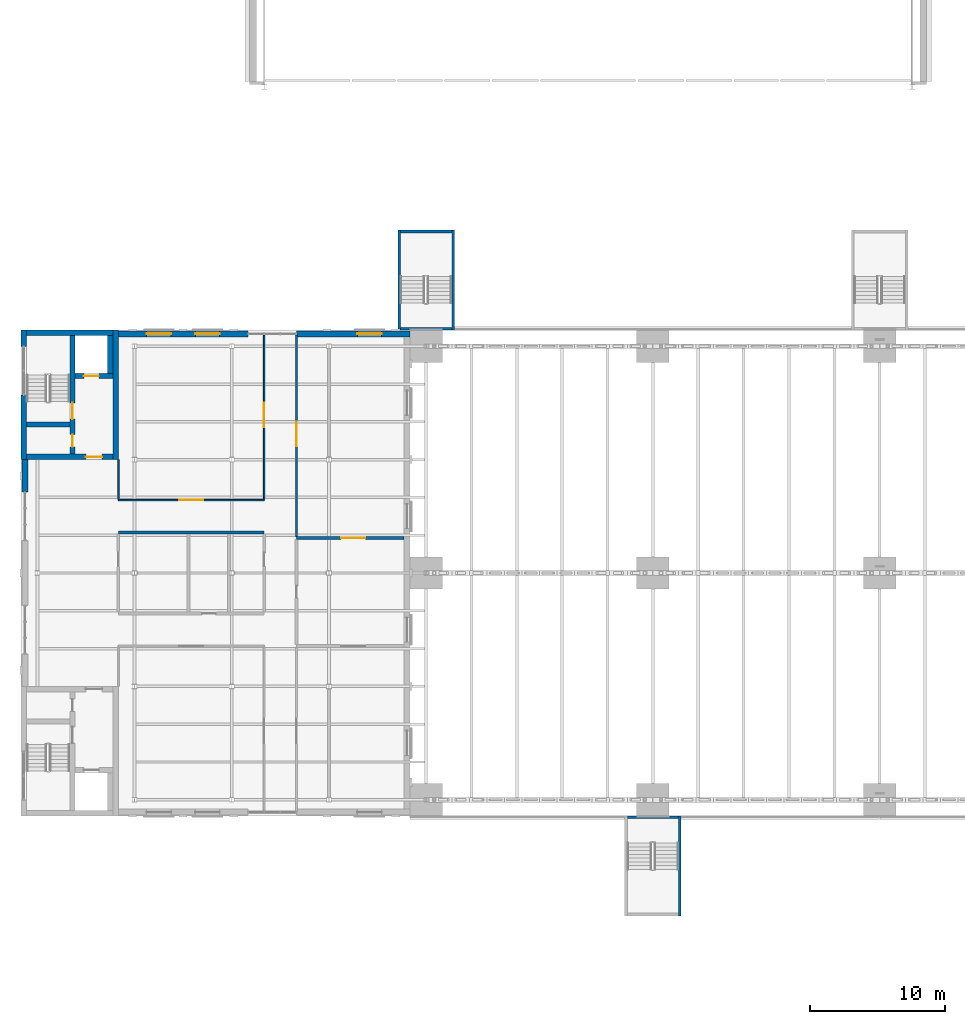
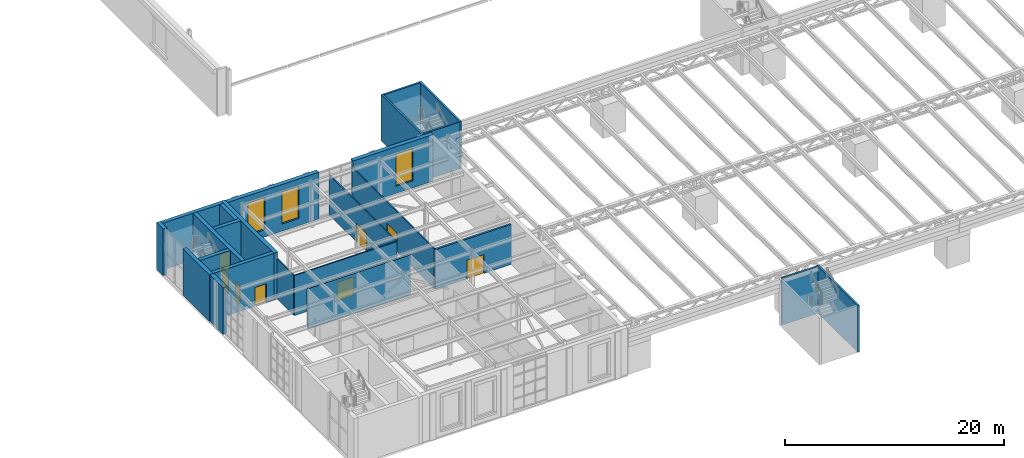
# One storey, part 55 of 93: 24 walls, 8 doors, 3 windows, 11 openings.
"""IFC4 building model written with IfcOpenShell, lengths in metres."""

from ifc_helpers import new_model, si_unit, direction, frame, frame_2d, origin, place, context, subcontext, project, spatial, rectangle, extrude, material, layer, layer_set, type_object, element, fill, save


model = new_model("IFC4")

# Units and contexts
model_context = context("Model", 3, precision=1e-05, world=origin(), true_north=direction((0.0, 1.0)))
body_context = subcontext(model_context, "Body", "Model", "MODEL_VIEW")
ifc_project = project(units=[si_unit("LENGTHUNIT", "METRE"), si_unit("AREAUNIT", "SQUARE_METRE"), si_unit("VOLUMEUNIT", "CUBIC_METRE"), si_unit("PLANEANGLEUNIT", "RADIAN"), si_unit("MASSUNIT", "GRAM", prefix="KILO")], contexts=[model_context])

# Site, building, storey
site_placement = place(None, origin())
site = spatial("IfcSite", under=ifc_project, at=site_placement, CompositionType="ELEMENT")
building_placement = place(site_placement, origin())
building = spatial("IfcBuilding", under=site, at=building_placement, Name="Verrick Yard Athletic Hall", CompositionType="ELEMENT")
storey_placement = place(building_placement, frame((0.0, 0.0, 8.800048828125)))
storey = spatial("IfcBuildingStorey", under=building, at=storey_placement, Name="L02", CompositionType="ELEMENT", Elevation=8.800048828125)

# Wall, openings, doors
ifc_material_1 = material(Name="Concrete 35 MPa", Category="concrete")
ifc_layer_1 = layer(ifc_material_1, 0.39990234375)
ifc_layer_set_1 = layer_set([ifc_layer_1], Name="Core wall CR400")
wall_type_1 = type_object("IfcWallType", Name="Core wall CR400", PredefinedType="SHEAR", material=ifc_layer_set_1)
wall_1_placement = place(storey_placement, frame((13.800048828125, 44.800048828125, 0.0), z_axis=(0.0, 0.0, 1.0), x_axis=(0.0, 1.0, 0.0)))
wall_1 = element("IfcWall", 1, at=wall_1_placement, inside=storey, type_object=wall_type_1, Name="CORE-CB2-WP-L02", PredefinedType="SHEAR", context=body_context, shape_type="SweptSolid", body=[
    extrude(rectangle(XDim=8.800048828125, YDim=0.39990234375, at=frame_2d((4.39990234375, 0.0))), origin(), (0.0, 0.0, 1.0), 5.199951171875),
])
opening_1_placement = place(wall_1_placement, frame((2.60009765625, 0.0, 0.0)))
opening_1 = element("IfcOpeningElement", 2, at=opening_1_placement, cuts=wall_1, Name="Opening SD1", PredefinedType="OPENING", context=body_context, shape_type="SweptSolid", body=[
    extrude(rectangle(XDim=1.199951171875, YDim=2.10009765625, at=frame_2d((0.60009765625, 1.050048828125))), frame((0.0, 0.2099609375, 0.0), z_axis=(0.0, -1.0, 0.0), x_axis=(1.0, 0.0, 0.0)), (0.0, 0.0, 1.0), 0.419921875),
])
opening_2_placement = place(wall_1_placement, frame((0.550048828125, 0.0, 0.0)))
opening_2 = element("IfcOpeningElement", 3, at=opening_2_placement, cuts=wall_1, Name="Opening RD1", PredefinedType="OPENING", context=body_context, shape_type="SweptSolid", body=[
    extrude(rectangle(XDim=0.89990234375, YDim=2.10009765625, at=frame_2d((0.449951171875, 1.050048828125))), frame((0.0, 0.2099609375, 0.0), z_axis=(0.0, -1.0, 0.0), x_axis=(1.0, 0.0, 0.0)), (0.0, 0.0, 1.0), 0.419921875),
])
ifc_material_2 = material(Name="Hollow metal door leaf")
door_type_1 = type_object("IfcDoorType", Name="Core door RD1 900x2100", OperationType="NOTDEFINED", PredefinedType="DOOR", material=ifc_material_2)
door_1_placement = place(opening_2_placement, origin())
door_1 = element("IfcDoor", 4, at=door_1_placement, inside=storey, type_object=door_type_1, Name="CORE-CB2-WP-L02-DRD1-4580", OperationType="SINGLE_SWING_RIGHT", OverallHeight=2.10009765625, OverallWidth=0.89990234375, PredefinedType="DOOR", context=body_context, shape_type="SweptSolid", body=[
    extrude(rectangle(XDim=0.89990234375, YDim=2.10009765625, at=frame_2d((0.449951171875, 1.050048828125))), frame((0.0, 0.02490234375, 0.0), z_axis=(0.0, -1.0, 0.0), x_axis=(1.0, 0.0, 0.0)), (0.0, 0.0, 1.0), 0.050048828125),
])
fill(opening_2, door_1)
door_type_2 = type_object("IfcDoorType", Name="Core door SD1 1200x2100", OperationType="NOTDEFINED", PredefinedType="DOOR", material=ifc_material_2)
door_2_placement = place(opening_1_placement, origin())
door_2 = element("IfcDoor", 5, at=door_2_placement, inside=storey, type_object=door_type_2, Name="CORE-CB2-WP-L02-DSD1-4800", OperationType="SINGLE_SWING_RIGHT", OverallHeight=2.10009765625, OverallWidth=1.199951171875, PredefinedType="DOOR", context=body_context, shape_type="SweptSolid", body=[
    extrude(rectangle(XDim=1.199951171875, YDim=2.10009765625, at=frame_2d((0.60009765625, 1.050048828125))), frame((0.0, 0.02490234375, 0.0), z_axis=(0.0, -1.0, 0.0), x_axis=(1.0, 0.0, 0.0)), (0.0, 0.0, 1.0), 0.050048828125),
])
fill(opening_1, door_2)

# Wall
wall_2_placement = place(storey_placement, frame((10.39990234375, 47.0, 0.0), z_axis=(0.0, 0.0, 1.0), x_axis=(1.0, 0.0, 0.0)))
element("IfcWall", 6, at=wall_2_placement, inside=storey, type_object=wall_type_1, Name="CORE-CB2-WSN-L02", PredefinedType="SHEAR", context=body_context, shape_type="SweptSolid", body=[
    extrude(rectangle(XDim=3.2001953125, YDim=0.39990234375, at=frame_2d((1.60009765625, 0.0))), origin(), (0.0, 0.0, 1.0), 5.199951171875),
])

# Wall, opening, door
wall_3_placement = place(storey_placement, frame((14.0, 50.60009765625, 0.0), z_axis=(0.0, 0.0, 1.0), x_axis=(1.0, 0.0, 0.0)))
wall_3 = element("IfcWall", 7, at=wall_3_placement, inside=storey, type_object=wall_type_1, Name="CORE-CB2-WLN-L02", PredefinedType="SHEAR", context=body_context, shape_type="SweptSolid", body=[
    extrude(rectangle(XDim=2.800048828125, YDim=0.39990234375, at=frame_2d((1.39990234375, 0.0))), origin(), (0.0, 0.0, 1.0), 5.199951171875),
])
opening_3_placement = place(wall_3_placement, frame((0.64990234375, 0.0, 0.0)))
opening_3 = element("IfcOpeningElement", 8, at=opening_3_placement, cuts=wall_3, Name="Opening LD", PredefinedType="OPENING", context=body_context, shape_type="SweptSolid", body=[
    extrude(rectangle(XDim=1.10009765625, YDim=2.10009765625, at=frame_2d((0.550048828125, 1.050048828125))), frame((0.0, 0.2099609375, 0.0), z_axis=(0.0, -1.0, 0.0), x_axis=(1.0, 0.0, 0.0)), (0.0, 0.0, 1.0), 0.419921875),
])
ifc_material_3 = material(Name="Stainless steel landing door", Category="steel")
door_type_3 = type_object("IfcDoorType", Name="Lift landing door LD 1100x2100", OperationType="NOTDEFINED", PredefinedType="DOOR", material=ifc_material_3)
door_3_placement = place(opening_3_placement, origin())
door_3 = element("IfcDoor", 9, at=door_3_placement, inside=storey, type_object=door_type_3, Name="Lift landing door", OperationType="SLIDING_TO_RIGHT", OverallHeight=2.10009765625, OverallWidth=1.10009765625, PredefinedType="DOOR", context=body_context, shape_type="SweptSolid", body=[
    extrude(rectangle(XDim=1.10009765625, YDim=2.10009765625, at=frame_2d((0.550048828125, 1.050048828125))), frame((0.0, 0.02490234375, 0.0), z_axis=(0.0, -1.0, 0.0), x_axis=(1.0, 0.0, 0.0)), (0.0, 0.0, 1.0), 0.050048828125),
])
fill(opening_3, door_3)

# Walls
wall_4_placement = place(storey_placement, frame((16.60009765625, 50.800048828125, 0.0), z_axis=(0.0, 0.0, 1.0), x_axis=(0.0, 1.0, 0.0)))
element("IfcWall", 10, at=wall_4_placement, inside=storey, type_object=wall_type_1, Name="CORE-CB2-WLE-L02", PredefinedType="SHEAR", context=body_context, shape_type="SweptSolid", body=[
    extrude(rectangle(XDim=2.800048828125, YDim=0.39990234375, at=frame_2d((1.39990234375, 0.0))), origin(), (0.0, 0.0, 1.0), 5.199951171875),
])
ifc_layer_2 = layer(ifc_material_1, 0.39990234375)
ifc_layer_set_2 = layer_set([ifc_layer_2], Name="External core wall CR400")
wall_type_2 = type_object("IfcWallType", Name="External core wall CR400", PredefinedType="SHEAR", material=ifc_layer_set_2)
wall_5_placement = place(storey_placement, frame((10.199951171875, 44.39990234375, 0.0), z_axis=(0.0, 0.0, 1.0), x_axis=(0.0, 1.0, 0.0)))
element("IfcWall", 11, at=wall_5_placement, inside=storey, type_object=wall_type_2, Name="CORE-CB2-WW-L02-0", PredefinedType="SHEAR", context=body_context, shape_type="SweptSolid", body=[
    extrude(rectangle(XDim=4.800048828125, YDim=0.39990234375, at=frame_2d((2.39990234375, 0.0))), origin(), (0.0, 0.0, 1.0), 5.199951171875),
])
wall_6_placement = place(storey_placement, frame((10.199951171875, 52.800048828125, 0.0), z_axis=(0.0, 0.0, 1.0), x_axis=(0.0, 1.0, 0.0)))
element("IfcWall", 12, at=wall_6_placement, inside=storey, type_object=wall_type_2, Name="CORE-CB2-WW-L02-1", PredefinedType="SHEAR", context=body_context, shape_type="SweptSolid", body=[
    extrude(rectangle(XDim=1.199951171875, YDim=0.39990234375, at=frame_2d((0.60009765625, 0.0))), origin(), (0.0, 0.0, 1.0), 5.199951171875),
])
wall_7_placement = place(storey_placement, frame((17.0, 44.39990234375, 0.0), z_axis=(0.0, 0.0, 1.0), x_axis=(0.0, 1.0, 0.0)))
element("IfcWall", 13, at=wall_7_placement, inside=storey, type_object=wall_type_2, Name="CORE-CB2-WE-L02", PredefinedType="SHEAR", context=body_context, shape_type="SweptSolid", body=[
    extrude(rectangle(XDim=9.60009765625, YDim=0.39990234375, at=frame_2d((4.800048828125, 0.0))), origin(), (0.0, 0.0, 1.0), 5.199951171875),
])
wall_8_placement = place(storey_placement, frame((10.39990234375, 53.800048828125, 0.0), z_axis=(0.0, 0.0, 1.0), x_axis=(1.0, 0.0, 0.0)))
element("IfcWall", 14, at=wall_8_placement, inside=storey, type_object=wall_type_2, Name="CORE-CB2-WS-L02", PredefinedType="SHEAR", context=body_context, shape_type="SweptSolid", body=[
    extrude(rectangle(XDim=6.400146484375, YDim=0.39990234375, at=frame_2d((3.2001953125, 0.0))), origin(), (0.0, 0.0, 1.0), 5.199951171875),
])

# Wall, opening, door
wall_9_placement = place(storey_placement, frame((10.39990234375, 44.60009765625, 0.0), z_axis=(0.0, 0.0, 1.0), x_axis=(1.0, 0.0, 0.0)))
wall_9 = element("IfcWall", 15, at=wall_9_placement, inside=storey, type_object=wall_type_2, Name="CORE-CB2-WN-L02", PredefinedType="SHEAR", context=body_context, shape_type="SweptSolid", body=[
    extrude(rectangle(XDim=6.400146484375, YDim=0.39990234375, at=frame_2d((3.2001953125, 0.0))), origin(), (0.0, 0.0, 1.0), 5.199951171875),
])
opening_4_placement = place(wall_9_placement, frame((4.39990234375, 0.0, 0.0)))
opening_4 = element("IfcOpeningElement", 16, at=opening_4_placement, cuts=wall_9, Name="Opening LB1", PredefinedType="OPENING", context=body_context, shape_type="SweptSolid", body=[
    extrude(rectangle(XDim=1.199951171875, YDim=2.10009765625, at=frame_2d((0.60009765625, 1.050048828125))), frame((0.0, 0.2099609375, 0.0), z_axis=(0.0, -1.0, 0.0), x_axis=(1.0, 0.0, 0.0)), (0.0, 0.0, 1.0), 0.419921875),
])
door_type_4 = type_object("IfcDoorType", Name="Core door LB1 1200x2100", OperationType="NOTDEFINED", PredefinedType="DOOR", material=ifc_material_2)
door_4_placement = place(opening_4_placement, origin())
door_4 = element("IfcDoor", 17, at=door_4_placement, inside=storey, type_object=door_type_4, Name="CORE-CB2-WN-L02-DLB1-1540", OperationType="SINGLE_SWING_RIGHT", OverallHeight=2.10009765625, OverallWidth=1.199951171875, PredefinedType="DOOR", context=body_context, shape_type="SweptSolid", body=[
    extrude(rectangle(XDim=1.199951171875, YDim=2.10009765625, at=frame_2d((0.60009765625, 1.050048828125))), frame((0.0, 0.02490234375, 0.0), z_axis=(0.0, -1.0, 0.0), x_axis=(1.0, 0.0, 0.0)), (0.0, 0.0, 1.0), 0.050048828125),
])
fill(opening_4, door_4)

# Walls
ifc_layer_3 = layer(ifc_material_1, 0.199951171875)
ifc_layer_set_3 = layer_set([ifc_layer_3], Name="External enclosure wall CR200")
wall_type_3 = type_object("IfcWallType", Name="External enclosure wall CR200", PredefinedType="SOLIDWALL", material=ifc_layer_set_3)
for number, where, z_axis, x_axis, name in (
    (18, (38.0, 54.0, 0.0), (0.0, 0.0, 1.0), (0.0, 1.0, 0.0), "CORE-DT-N1-WW-L02"),
    (19, (42.0, 61.39990234375, 0.0), (0.0, 0.0, 1.0), (0.0, -1.0, 0.0), "CORE-DT-N1-WE-L02"),
):
    element("IfcWall", number, at=place(storey_placement, frame(where, z_axis=z_axis, x_axis=x_axis)), inside=storey, type_object=wall_type_3, Name=name, PredefinedType="SOLIDWALL", context=body_context, shape_type="SweptSolid", body=[
        extrude(rectangle(XDim=7.39990234375, YDim=0.199951171875, at=frame_2d((3.699951171875, 0.0))), origin(), (0.0, 0.0, 1.0), 5.199951171875),
    ])
for number, where, z_axis, x_axis, name in (
    (20, (38.10009765625, 54.10009765625, 0.0), (0.0, 0.0, 1.0), (1.0, 0.0, 0.0), "CORE-DT-N1-WS-L02"),
    (21, (38.10009765625, 61.300048828125, 0.0), (0.0, 0.0, 1.0), (1.0, 0.0, 0.0), "CORE-DT-N1-WN-L02"),
):
    element("IfcWall", number, at=place(storey_placement, frame(where, z_axis=z_axis, x_axis=x_axis)), inside=storey, type_object=wall_type_3, Name=name, PredefinedType="SOLIDWALL", context=body_context, shape_type="SweptSolid", body=[
        extrude(rectangle(XDim=3.7998046875, YDim=0.199951171875, at=frame_2d((1.89990234375, 0.0))), origin(), (0.0, 0.0, 1.0), 5.199951171875),
    ])
wall_10_placement = place(storey_placement, frame((58.800048828125, 18.0, 0.0), z_axis=(0.0, 0.0, 1.0), x_axis=(0.0, -1.0, 0.0)))
element("IfcWall", 22, at=wall_10_placement, inside=storey, type_object=wall_type_3, Name="CORE-DT-S1-WE-L02", PredefinedType="SOLIDWALL", context=body_context, shape_type="SweptSolid", body=[
    extrude(rectangle(XDim=7.39990234375, YDim=0.199951171875, at=frame_2d((3.699951171875, 0.0))), origin(), (0.0, 0.0, 1.0), 5.199951171875),
])
wall_11_placement = place(storey_placement, frame((54.89990234375, 17.89990234375, 0.0), z_axis=(0.0, 0.0, 1.0), x_axis=(1.0, 0.0, 0.0)))
element("IfcWall", 23, at=wall_11_placement, inside=storey, type_object=wall_type_3, Name="CORE-DT-S1-WN-L02", PredefinedType="SOLIDWALL", context=body_context, shape_type="SweptSolid", body=[
    extrude(rectangle(XDim=3.800048828125, YDim=0.199951171875, at=frame_2d((1.89990234375, 0.0))), origin(), (0.0, 0.0, 1.0), 5.199951171875),
])

# Wall, opening, door
ifc_material_4 = material(Name="Concrete masonry block 15 MPa", Category="masonry")
ifc_layer_4 = layer(ifc_material_4, 0.199951171875)
ifc_layer_set_4 = layer_set([ifc_layer_4], Name="PW1 Block partition 200")
wall_type_4 = type_object("IfcWallType", Name="PW1 Block partition 200", PredefinedType="PARTITIONING", material=ifc_layer_set_4)
wall_12_placement = place(storey_placement, frame((30.39990234375, 38.60009765625, 0.0), z_axis=(0.0, 0.0, 1.0), x_axis=(1.0, 0.0, 0.0)))
wall_12 = element("IfcWall", 24, at=wall_12_placement, inside=storey, type_object=wall_type_4, Name="Partition PW1", PredefinedType="PARTITIONING", context=body_context, shape_type="SweptSolid", body=[
    extrude(rectangle(XDim=7.97265625, YDim=0.199951171875, at=frame_2d((3.986328125, 0.0))), origin(), (0.0, 0.0, 1.0), 4.449951171875),
])
opening_5_placement = place(wall_12_placement, frame((3.300048828125, 0.0, 0.0)))
opening_5 = element("IfcOpeningElement", 25, at=opening_5_placement, cuts=wall_12, Name="Opening D3", PredefinedType="OPENING", context=body_context, shape_type="SweptSolid", body=[
    extrude(rectangle(XDim=1.800048828125, YDim=2.10009765625, at=frame_2d((0.89990234375, 1.050048828125))), frame((0.0, 0.10986328125, 0.0), z_axis=(0.0, -1.0, 0.0), x_axis=(1.0, 0.0, 0.0)), (0.0, 0.0, 1.0), 0.219970703125),
])
ifc_material_5 = material(Name="Timber door leaf in steel frame", Category="steel")
door_type_5 = type_object("IfcDoorType", Name="D3 Double door 1800 x 2100", OperationType="NOTDEFINED", PredefinedType="DOOR", material=ifc_material_5)
door_5_placement = place(opening_5_placement, origin())
door_5 = element("IfcDoor", 26, at=door_5_placement, inside=storey, type_object=door_type_5, Name="D3 Dance Studio 3", OperationType="DOUBLE_DOOR_SINGLE_SWING", OverallHeight=2.10009765625, OverallWidth=1.800048828125, PredefinedType="DOOR", context=body_context, shape_type="SweptSolid", body=[
    extrude(rectangle(XDim=1.800048828125, YDim=2.10009765625, at=frame_2d((0.89990234375, 1.050048828125))), frame((0.0, 0.02490234375, 0.0), z_axis=(0.0, -1.0, 0.0), x_axis=(1.0, 0.0, 0.0)), (0.0, 0.0, 1.0), 0.050048828125),
])
fill(opening_5, door_5)

# Wall
wall_13_placement = place(storey_placement, frame((17.199951171875, 39.0, 0.0), z_axis=(0.0, 0.0, 1.0), x_axis=(1.0, 0.0, 0.0)))
element("IfcWall", 27, at=wall_13_placement, inside=storey, type_object=wall_type_4, Name="Partition PW1", PredefinedType="PARTITIONING", context=body_context, shape_type="SweptSolid", body=[
    extrude(rectangle(XDim=10.800048828125, YDim=0.199951171875, at=frame_2d((5.39990234375, 0.0))), origin(), (0.0, 0.0, 1.0), 4.449951171875),
])

# Wall, opening, door
ifc_material_6 = material(Name="Gypsum plasterboard on light-gauge studs")
ifc_layer_5 = layer(ifc_material_6, 0.125)
ifc_layer_set_5 = layer_set([ifc_layer_5], Name="PW2 Stud partition 125")
wall_type_5 = type_object("IfcWallType", Name="PW2 Stud partition 125", PredefinedType="PARTITIONING", material=ifc_layer_set_5)
wall_14_placement = place(storey_placement, frame((17.199951171875, 41.39990234375, 0.0), z_axis=(0.0, 0.0, 1.0), x_axis=(1.0, 0.0, 0.0)))
wall_14 = element("IfcWall", 28, at=wall_14_placement, inside=storey, type_object=wall_type_5, Name="Partition PW2", PredefinedType="PARTITIONING", context=body_context, shape_type="SweptSolid", body=[
    extrude(rectangle(XDim=10.800048828125, YDim=0.125, at=frame_2d((5.39990234375, 0.0))), origin(), (0.0, 0.0, 1.0), 4.449951171875),
])
opening_6_placement = place(wall_14_placement, frame((4.5, 0.0, 0.0)))
opening_6 = element("IfcOpeningElement", 29, at=opening_6_placement, cuts=wall_14, Name="Opening D3", PredefinedType="OPENING", context=body_context, shape_type="SweptSolid", body=[
    extrude(rectangle(XDim=1.800048828125, YDim=2.10009765625, at=frame_2d((0.89990234375, 1.050048828125))), frame((0.0, 0.072509765625, 0.0), z_axis=(0.0, -1.0, 0.0), x_axis=(1.0, 0.0, 0.0)), (0.0, 0.0, 1.0), 0.14501953125),
])
door_6_placement = place(opening_6_placement, origin())
door_6 = element("IfcDoor", 30, at=door_6_placement, inside=storey, type_object=door_type_5, Name="D3 Dance Studio 2", OperationType="DOUBLE_DOOR_SINGLE_SWING", OverallHeight=2.10009765625, OverallWidth=1.800048828125, PredefinedType="DOOR", context=body_context, shape_type="SweptSolid", body=[
    extrude(rectangle(XDim=1.800048828125, YDim=2.10009765625, at=frame_2d((0.89990234375, 1.050048828125))), frame((0.0, 0.02490234375, 0.0), z_axis=(0.0, -1.0, 0.0), x_axis=(1.0, 0.0, 0.0)), (0.0, 0.0, 1.0), 0.050048828125),
])
fill(opening_6, door_6)

# Wall
wall_15_placement = place(storey_placement, frame((17.199951171875, 41.46240234375, 0.0), z_axis=(0.0, 0.0, 1.0), x_axis=(0.0, 1.0, 0.0)))
element("IfcWall", 31, at=wall_15_placement, inside=storey, type_object=wall_type_5, Name="Partition PW2", PredefinedType="PARTITIONING", context=body_context, shape_type="SweptSolid", body=[
    extrude(rectangle(XDim=2.9375, YDim=0.125, at=frame_2d((1.46875, 0.0))), origin(), (0.0, 0.0, 1.0), 4.449951171875),
])

# Wall, opening, door
wall_16_placement = place(storey_placement, frame((28.0, 41.46240234375, 0.0), z_axis=(0.0, 0.0, 1.0), x_axis=(0.0, 1.0, 0.0)))
wall_16 = element("IfcWall", 32, at=wall_16_placement, inside=storey, type_object=wall_type_5, Name="Partition PW2", PredefinedType="PARTITIONING", context=body_context, shape_type="SweptSolid", body=[
    extrude(rectangle(XDim=12.186279296875, YDim=0.125, at=frame_2d((6.09326171875, 0.0))), origin(), (0.0, 0.0, 1.0), 4.449951171875),
])
opening_7_placement = place(wall_16_placement, frame((5.337890625, 0.0, 0.0)))
opening_7 = element("IfcOpeningElement", 33, at=opening_7_placement, cuts=wall_16, Name="Opening D3", PredefinedType="OPENING", context=body_context, shape_type="SweptSolid", body=[
    extrude(rectangle(XDim=1.800048828125, YDim=2.10009765625, at=frame_2d((0.89990234375, 1.050048828125))), frame((0.0, 0.072509765625, 0.0), z_axis=(0.0, -1.0, 0.0), x_axis=(1.0, 0.0, 0.0)), (0.0, 0.0, 1.0), 0.14501953125),
])
door_7_placement = place(opening_7_placement, origin())
door_7 = element("IfcDoor", 34, at=door_7_placement, inside=storey, type_object=door_type_5, Name="D3 Dance Studio 2", OperationType="DOUBLE_DOOR_SINGLE_SWING", OverallHeight=2.10009765625, OverallWidth=1.800048828125, PredefinedType="DOOR", context=body_context, shape_type="SweptSolid", body=[
    extrude(rectangle(XDim=1.800048828125, YDim=2.10009765625, at=frame_2d((0.89990234375, 1.050048828125))), frame((0.0, 0.02490234375, 0.0), z_axis=(0.0, -1.0, 0.0), x_axis=(1.0, 0.0, 0.0)), (0.0, 0.0, 1.0), 0.050048828125),
])
fill(opening_7, door_7)

wall_17_placement = place(storey_placement, frame((30.39990234375, 38.699951171875, 0.0), z_axis=(0.0, 0.0, 1.0), x_axis=(0.0, 1.0, 0.0)))
wall_17 = element("IfcWall", 35, at=wall_17_placement, inside=storey, type_object=wall_type_5, Name="Partition PW2", PredefinedType="PARTITIONING", context=body_context, shape_type="SweptSolid", body=[
    extrude(rectangle(XDim=14.94873046875, YDim=0.125, at=frame_2d((7.474365234375, 0.0))), origin(), (0.0, 0.0, 1.0), 4.449951171875),
])
opening_8_placement = place(wall_17_placement, frame((6.699951171875, 0.0, 0.0)))
opening_8 = element("IfcOpeningElement", 36, at=opening_8_placement, cuts=wall_17, Name="Opening D3", PredefinedType="OPENING", context=body_context, shape_type="SweptSolid", body=[
    extrude(rectangle(XDim=1.800048828125, YDim=2.10009765625, at=frame_2d((0.89990234375, 1.050048828125))), frame((0.0, 0.072509765625, 0.0), z_axis=(0.0, -1.0, 0.0), x_axis=(1.0, 0.0, 0.0)), (0.0, 0.0, 1.0), 0.14501953125),
])
door_8_placement = place(opening_8_placement, origin())
door_8 = element("IfcDoor", 37, at=door_8_placement, inside=storey, type_object=door_type_5, Name="D3 Dance Studio 3", OperationType="DOUBLE_DOOR_SINGLE_SWING", OverallHeight=2.10009765625, OverallWidth=1.800048828125, PredefinedType="DOOR", context=body_context, shape_type="SweptSolid", body=[
    extrude(rectangle(XDim=1.800048828125, YDim=2.10009765625, at=frame_2d((0.89990234375, 1.050048828125))), frame((0.0, 0.02490234375, 0.0), z_axis=(0.0, -1.0, 0.0), x_axis=(1.0, 0.0, 0.0)), (0.0, 0.0, 1.0), 0.050048828125),
])
fill(opening_8, door_8)

# Wall, openings, windows
ifc_material_7 = material(Name="Clay face brick, red-brown", Category="masonry")
ifc_layer_6 = layer(ifc_material_7, 0.0625, Name="Clay face brick, red-brown")
ifc_material_8 = material(Name="Mineral wool insulation")
ifc_layer_7 = layer(ifc_material_8, 0.125, Name="Mineral wool insulation")
ifc_layer_8 = layer(ifc_material_1, 0.25, Name="Concrete 35 MPa")
ifc_layer_set_6 = layer_set([ifc_layer_6, ifc_layer_7, ifc_layer_8], Name="Wing upper wall")
wall_type_6 = type_object("IfcWallType", Name="Wing upper wall", PredefinedType="SOLIDWALL", material=ifc_layer_set_6)
wall_18_placement = place(storey_placement, frame((17.199951171875, 53.71875, 0.0), z_axis=(0.0, 0.0, 1.0), x_axis=(1.0, 0.0, 0.0)))
wall_18 = element("IfcWall", 38, at=wall_18_placement, inside=storey, type_object=wall_type_6, Name="ENVB-WN-L02-1", PredefinedType="SOLIDWALL", context=body_context, shape_type="SweptSolid", body=[
    extrude(rectangle(XDim=9.60009765625, YDim=0.4375, at=frame_2d((4.800048828125, 0.0))), origin(), (0.0, 0.0, 1.0), 5.199951171875),
])
opening_9_placement = place(wall_18_placement, frame((2.10009765625, 0.0, 0.800048828125)))
opening_9 = element("IfcOpeningElement", 39, at=opening_9_placement, cuts=wall_18, Name="Opening W23", PredefinedType="OPENING", context=body_context, shape_type="SweptSolid", body=[
    extrude(rectangle(XDim=1.800048828125, YDim=3.60009765625, at=frame_2d((0.89990234375, 1.800048828125))), frame((0.0, 0.228759765625, 0.0), z_axis=(0.0, -1.0, 0.0), x_axis=(1.0, 0.0, 0.0)), (0.0, 0.0, 1.0), 0.45751953125),
])
opening_10_placement = place(wall_18_placement, frame((5.699951171875, 0.0, 0.800048828125)))
opening_10 = element("IfcOpeningElement", 40, at=opening_10_placement, cuts=wall_18, Name="Opening W23", PredefinedType="OPENING", context=body_context, shape_type="SweptSolid", body=[
    extrude(rectangle(XDim=1.800048828125, YDim=3.60009765625, at=frame_2d((0.89990234375, 1.800048828125))), frame((0.0, 0.228759765625, 0.0), z_axis=(0.0, -1.0, 0.0), x_axis=(1.0, 0.0, 0.0)), (0.0, 0.0, 1.0), 0.45751953125),
])
ifc_material_9 = material(Name="Anodised aluminium frame with insulated glazing", Category="aluminium")
window_type = type_object("IfcWindowType", Name="Wing window 1800x3600", PartitioningType="NOTDEFINED", PredefinedType="WINDOW", material=ifc_material_9)
window_1_placement = place(opening_9_placement, origin())
window_1 = element("IfcWindow", 41, at=window_1_placement, inside=storey, type_object=window_type, Name="ENVB-WN-L02-1-W202", OverallHeight=3.60009765625, OverallWidth=1.800048828125, PartitioningType="SINGLE_PANEL", PredefinedType="WINDOW", context=body_context, shape_type="SweptSolid", body=[
    extrude(rectangle(XDim=1.800048828125, YDim=3.60009765625, at=frame_2d((0.89990234375, 1.800048828125))), frame((0.0, 0.030029296875, 0.0), z_axis=(0.0, -1.0, 0.0), x_axis=(1.0, 0.0, 0.0)), (0.0, 0.0, 1.0), 0.06005859375),
])
fill(opening_9, window_1)
window_2_placement = place(opening_10_placement, origin())
window_2 = element("IfcWindow", 42, at=window_2_placement, inside=storey, type_object=window_type, Name="ENVB-WN-L02-1-W238", OverallHeight=3.60009765625, OverallWidth=1.800048828125, PartitioningType="SINGLE_PANEL", PredefinedType="WINDOW", context=body_context, shape_type="SweptSolid", body=[
    extrude(rectangle(XDim=1.800048828125, YDim=3.60009765625, at=frame_2d((0.89990234375, 1.800048828125))), frame((0.0, 0.030029296875, 0.0), z_axis=(0.0, -1.0, 0.0), x_axis=(1.0, 0.0, 0.0)), (0.0, 0.0, 1.0), 0.06005859375),
])
fill(opening_10, window_2)

# Wall, opening, window
wall_19_placement = place(storey_placement, frame((30.39990234375, 53.71875, 0.0), z_axis=(0.0, 0.0, 1.0), x_axis=(1.0, 0.0, 0.0)))
wall_19 = element("IfcWall", 43, at=wall_19_placement, inside=storey, type_object=wall_type_6, Name="ENVB-WN-L02-2", PredefinedType="SOLIDWALL", context=body_context, shape_type="SweptSolid", body=[
    extrude(rectangle(XDim=8.400146484375, YDim=0.4375, at=frame_2d((4.2001953125, 0.0))), origin(), (0.0, 0.0, 1.0), 5.199951171875),
])
opening_11_placement = place(wall_19_placement, frame((4.5, 0.0, 0.800048828125)))
opening_11 = element("IfcOpeningElement", 44, at=opening_11_placement, cuts=wall_19, Name="Opening W23", PredefinedType="OPENING", context=body_context, shape_type="SweptSolid", body=[
    extrude(rectangle(XDim=1.800048828125, YDim=3.60009765625, at=frame_2d((0.89990234375, 1.800048828125))), frame((0.0, 0.228759765625, 0.0), z_axis=(0.0, -1.0, 0.0), x_axis=(1.0, 0.0, 0.0)), (0.0, 0.0, 1.0), 0.45751953125),
])
window_3_placement = place(opening_11_placement, origin())
window_3 = element("IfcWindow", 45, at=window_3_placement, inside=storey, type_object=window_type, Name="ENVB-WN-L02-2-W358", OverallHeight=3.60009765625, OverallWidth=1.800048828125, PartitioningType="SINGLE_PANEL", PredefinedType="WINDOW", context=body_context, shape_type="SweptSolid", body=[
    extrude(rectangle(XDim=1.800048828125, YDim=3.60009765625, at=frame_2d((0.89990234375, 1.800048828125))), frame((0.0, 0.030029296875, 0.0), z_axis=(0.0, -1.0, 0.0), x_axis=(1.0, 0.0, 0.0)), (0.0, 0.0, 1.0), 0.06005859375),
])
fill(opening_11, window_3)

# Wall
wall_20_placement = place(storey_placement, frame((10.28125, 42.0, 0.0), z_axis=(0.0, 0.0, 1.0), x_axis=(0.0, 1.0, 0.0)))
element("IfcWall", 46, at=wall_20_placement, inside=storey, type_object=wall_type_6, Name="ENVB-WW-L02-3", PredefinedType="SOLIDWALL", context=body_context, shape_type="SweptSolid", body=[
    extrude(rectangle(XDim=2.39990234375, YDim=0.4375, at=frame_2d((1.199951171875, 0.0))), origin(), (0.0, 0.0, 1.0), 5.199951171875),
])

save(model, "model.ifc")
